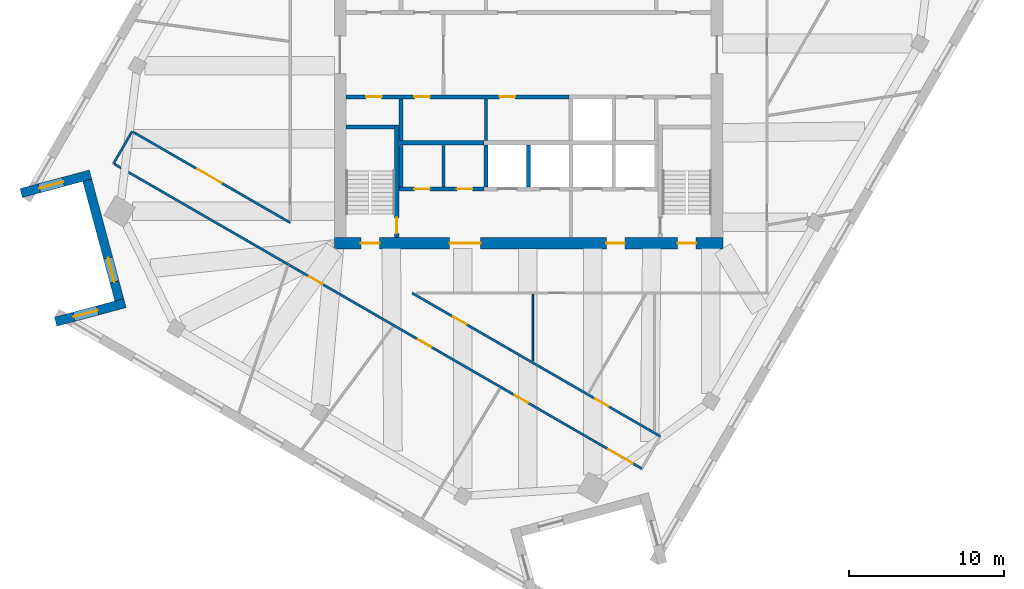
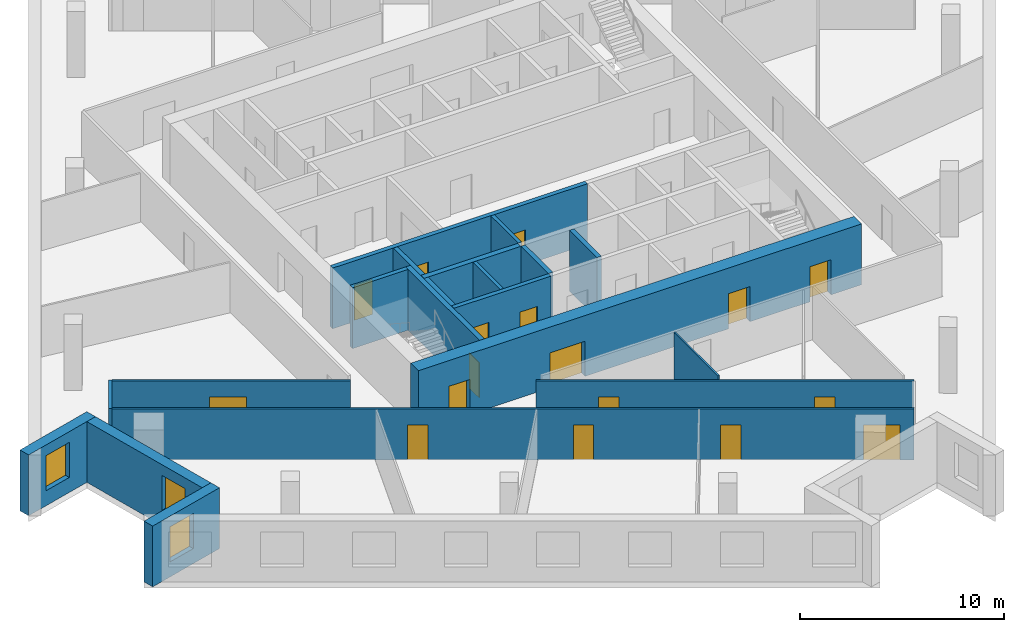
# One storey, part 6 of 13: 20 walls, 17 doors, 3 windows, 20 openings.
"""IFC4 building model written with IfcOpenShell, lengths in metres."""

import ifcopenshell
import ifcopenshell.guid

model = None  # the IFC model being written
_history = None  # IfcOwnerHistory: only IFC2X3 demands one
_inside = {}  # id of a spatial element -> (the spatial element, [elements in it])
_under = {}  # id of a project, library or spatial element -> (it, [spatial elements below it])
_declared = {}  # id of a project -> (the project, [libraries it declares])
_typed = {}  # id of a type object -> (the type object, [elements of that type])
_made_of = {}  # id of a material, layer set ... -> (it, [elements and type objects made of it])


def new_model(schema):
    """Start an empty IFC model of exactly this schema.

    Asked for "IFC4X3", IfcOpenShell would pick the latest addendum, in which some entities
    have other attributes; the version numbers below select the first issue.
    IFC2X3 requires an IfcOwnerHistory on every rooted entity: one is made here for all.
    """
    global model, _history
    if schema == "IFC4X3":
        model = ifcopenshell.file(schema_version=(4, 3, 0, 0))
    else:
        model = ifcopenshell.file(schema=schema)
    _inside.clear()
    _under.clear()
    _declared.clear()
    _typed.clear()
    _made_of.clear()
    _history = None
    if model.schema == "IFC2X3":
        org = make("IfcOrganization", Name="unknown")
        user = make(
            "IfcPersonAndOrganization",
            ThePerson=make("IfcPerson", FamilyName="unknown"),
            TheOrganization=org,
        )
        app = make(
            "IfcApplication",
            ApplicationDeveloper=org,
            Version="unknown",
            ApplicationFullName="unknown",
            ApplicationIdentifier="unknown",
        )
        _history = make(
            "IfcOwnerHistory",
            OwningUser=user,
            OwningApplication=app,
            ChangeAction="ADDED",
            CreationDate=0,
        )
    return model


def make(cls, **values):
    """One entity of the class cls with the attributes given. An attribute that is None is left unset."""
    return model.create_entity(
        cls, **{name: value for name, value in values.items() if value is not None}
    )


def rooted(cls, **values):
    """An entity with a GlobalId (a new one), such as an element, a storey or a relation."""
    return make(cls, GlobalId=ifcopenshell.guid.new(), OwnerHistory=_history, **values)


def si_unit(unit_type, name, prefix=None):
    """IfcSIUnit, for example si_unit("LENGTHUNIT", "METRE", prefix="MILLI")."""
    return make("IfcSIUnit", UnitType=unit_type, Prefix=prefix, Name=name)


def assignment(units):
    """IfcUnitAssignment: the units of a project."""
    return None if units is None else make("IfcUnitAssignment", Units=units)


def point(xyz):
    """IfcCartesianPoint."""
    return None if xyz is None else make("IfcCartesianPoint", Coordinates=xyz)


def direction(xyz):
    """IfcDirection."""
    return None if xyz is None else make("IfcDirection", DirectionRatios=xyz)


def frame(location, z_axis=None, x_axis=None):
    """IfcAxis2Placement3D, a coordinate frame: its origin and axes. An axis left out is left unset."""
    return make(
        "IfcAxis2Placement3D",
        Location=point(location),
        Axis=direction(z_axis),
        RefDirection=direction(x_axis),
    )


def frame_2d(location, x_axis=None):
    """IfcAxis2Placement2D, a coordinate frame in the plane: its origin and x axis."""
    return make(
        "IfcAxis2Placement2D", Location=point(location), RefDirection=direction(x_axis)
    )


def origin():
    """The frame at (0, 0, 0) with its axes left unset."""
    return frame((0.0, 0.0, 0.0))


def place(relative_to, where):
    """IfcLocalPlacement: puts the frame where relative to a parent placement (None: the world)."""
    return make(
        "IfcLocalPlacement", PlacementRelTo=relative_to, RelativePlacement=where
    )


def context(
    kind, dimensions, precision=None, world=None, true_north=None, identifier=None
):
    """IfcGeometricRepresentationContext, for example the 3D "Model" context."""
    return make(
        "IfcGeometricRepresentationContext",
        ContextIdentifier=identifier,
        ContextType=kind,
        CoordinateSpaceDimension=dimensions,
        Precision=precision,
        WorldCoordinateSystem=world,
        TrueNorth=true_north,
    )


def subcontext(parent, identifier, kind, view, scale=None):
    """IfcGeometricRepresentationSubContext, for example "Body" below "Model"."""
    return make(
        "IfcGeometricRepresentationSubContext",
        ContextIdentifier=identifier,
        ContextType=kind,
        ParentContext=parent,
        TargetScale=scale,
        TargetView=view,
    )


def project(units=None, contexts=None):
    """IfcProject with its units and contexts."""
    return rooted(
        "IfcProject",
        Name="project",
        RepresentationContexts=contexts,
        UnitsInContext=assignment(units),
    )


def spatial(cls, under=None, at=None, **own):
    """A site, building, storey or space (cls), placed at a placement, below another one or the project."""
    s = rooted(cls, ObjectPlacement=at, **own)
    if under is not None:
        _under.setdefault(under.id(), (under, []))[1].append(s)
    return s


def profile(cls, at=None, kind="AREA", **sizes):
    """A parametric profile (cls). Its sizes go by their IFC names, for example OverallWidth=200.0."""
    return make(cls, ProfileType=kind, Position=at, **sizes)


def rectangle(**sizes):
    """IfcRectangleProfileDef."""
    return profile("IfcRectangleProfileDef", **sizes)


def extrude(swept, where, along, depth):
    """IfcExtrudedAreaSolid: the profile swept, set in the frame where, extruded along a direction by depth."""
    return make(
        "IfcExtrudedAreaSolid",
        SweptArea=swept,
        Position=where,
        ExtrudedDirection=direction(along),
        Depth=depth,
    )


def shape(context_of_items, identifier, shape_type, items):
    """IfcShapeRepresentation: the items that make up one representation, for example the "Body"."""
    return make(
        "IfcShapeRepresentation",
        ContextOfItems=context_of_items,
        RepresentationIdentifier=identifier,
        RepresentationType=shape_type,
        Items=items,
    )


def material(Name=None, Category=None):
    """IfcMaterial."""
    return make("IfcMaterial", Name=Name, Category=Category)


def layer(
    of_material, thickness, ventilated=None, Name=None, Category=None, Priority=None
):
    """IfcMaterialLayer: one layer of a wall or slab, of a material (None: an air gap)."""
    return make(
        "IfcMaterialLayer",
        Material=of_material,
        LayerThickness=thickness,
        IsVentilated=ventilated,
        Name=Name,
        Category=Category,
        Priority=Priority,
    )


def layer_set(layers, Name=None):
    """IfcMaterialLayerSet."""
    return make("IfcMaterialLayerSet", MaterialLayers=layers, LayerSetName=Name)


def made_of(thing, what):
    """Note that an element or type object is made of a material, layer set ...; save() writes the relation."""
    if what is not None:
        _made_of.setdefault(what.id(), (what, []))[1].append(thing)
    return thing


def type_object(cls, material=None, **own):
    """A type object (cls), such as IfcWallType, which elements share."""
    return made_of(rooted(cls, **own), material)


def element(
    cls,
    number,
    at=None,
    inside=None,
    cuts=None,
    type_object=None,
    material=None,
    context=None,
    identifier="Body",
    shape_type=None,
    held_by="IfcProductDefinitionShape",
    body=None,
    shapes=None,
    **own,
):
    """One element of the class cls, such as IfcWall. Its Tag is "e" and its number.

    at: its placement. inside: the storey or other place that contains it. cuts: it is an
    opening in that element (IfcRelVoidsElement). A single representation is given by context,
    identifier, shape_type and body (its items); several are given by shapes. held_by: the class
    of the entity that holds the representations. save() writes the other relations.
    """
    e = rooted(cls, Tag="e%d" % number, ObjectPlacement=at, **own)
    if body is not None:
        shapes = [shape(context, identifier, shape_type, body)]
    if shapes is not None:
        e.Representation = make(held_by, Representations=shapes)
    if inside is not None:
        _inside.setdefault(inside.id(), (inside, []))[1].append(e)
    if cuts is not None:
        rooted(
            "IfcRelVoidsElement", RelatingBuildingElement=cuts, RelatedOpeningElement=e
        )
    if type_object is not None:
        _typed.setdefault(type_object.id(), (type_object, []))[1].append(e)
    return made_of(e, material)


def fill(opening, filler):
    """IfcRelFillsElement: the door or window that sits in an opening."""
    return rooted(
        "IfcRelFillsElement",
        RelatingOpeningElement=opening,
        RelatedBuildingElement=filler,
    )


def aggregate(whole, parts):
    """IfcRelAggregates: a whole, such as a stair, and the parts it consists of."""
    return rooted("IfcRelAggregates", RelatingObject=whole, RelatedObjects=parts)


def save(model, path):
    """Write the relations noted so far, then the file.

    IfcRelAggregates (storeys below a building ...), IfcRelContainedInSpatialStructure (elements
    in a storey), IfcRelDefinesByType, IfcRelAssociatesMaterial and IfcRelDeclares: one each for
    every whole, place, type object, material and project.
    """
    for whole, parts in _under.values():
        aggregate(whole, parts)
    for where, things in _inside.values():
        rooted(
            "IfcRelContainedInSpatialStructure",
            RelatedElements=things,
            RelatingStructure=where,
        )
    for kind, things in _typed.values():
        rooted("IfcRelDefinesByType", RelatedObjects=things, RelatingType=kind)
    for what, things in _made_of.values():
        rooted("IfcRelAssociatesMaterial", RelatedObjects=things, RelatingMaterial=what)
    for by, libraries in _declared.values():
        rooted("IfcRelDeclares", RelatingContext=by, RelatedDefinitions=libraries)
    model.write(path)


model = new_model("IFC4")

# Units and contexts
model_context = context("Model", 3, precision=1e-05, world=origin(), true_north=direction((0.0, 1.0)))
body_context = subcontext(model_context, "Body", "Model", "MODEL_VIEW")
ifc_project = project(units=[si_unit("LENGTHUNIT", "METRE"), si_unit("AREAUNIT", "SQUARE_METRE"), si_unit("VOLUMEUNIT", "CUBIC_METRE"), si_unit("PLANEANGLEUNIT", "RADIAN"), si_unit("MASSUNIT", "GRAM", prefix="KILO")], contexts=[model_context])

# Site, building, storey
site_placement = place(None, origin())
site = spatial("IfcSite", under=ifc_project, at=site_placement, CompositionType="ELEMENT")
building_placement = place(site_placement, origin())
building = spatial("IfcBuilding", under=site, at=building_placement, Name="Dilmun Exchange Tower", CompositionType="ELEMENT")
storey_placement = place(building_placement, frame((0.0, 0.0, 270.89990234375)))
storey = spatial("IfcBuildingStorey", under=building, at=storey_placement, Name="L64", CompositionType="ELEMENT", Elevation=270.89990234375)

# Walls
ifc_material_1 = material(Name="Concrete C40/50", Category="concrete")
ifc_layer_1 = layer(ifc_material_1, 0.199951171875)
ifc_layer_set_1 = layer_set([ifc_layer_1], Name="Concrete C40/50")
wall_type_1 = type_object("IfcWallType", Name="Core partition wall 200", PredefinedType="PARTITIONING", material=ifc_layer_set_1)
for number, where, z_axis, x_axis, name in (
    (1, (-5.5, -8.544921875, 0.0), (0.0, 0.0, 1.0), (0.0, 1.0, 0.0), "L64 core partition wall 04"),
    (2, (-2.75, -5.544921875, 0.0), (0.0, 0.0, 1.0), (0.0, 1.0, 0.0), "L64 core partition wall 07"),
):
    element("IfcWall", number, at=place(storey_placement, frame(where, z_axis=z_axis, x_axis=x_axis)), inside=storey, type_object=wall_type_1, Name=name, PredefinedType="PARTITIONING", context=body_context, shape_type="SweptSolid", body=[
        extrude(rectangle(XDim=2.68994140625, YDim=0.199951171875, at=frame_2d((1.344970703125, 0.0))), origin(), (0.0, 0.0, 1.0), 3.64013671875),
    ])

# Wall, openings, doors
ifc_layer_2 = layer(ifc_material_1, 0.25)
ifc_layer_set_2 = layer_set([ifc_layer_2], Name="Concrete C40/50")
wall_type_2 = type_object("IfcWallType", Name="Core partition wall 250", PredefinedType="PARTITIONING", material=ifc_layer_set_2)
wall_1_placement = place(storey_placement, frame((-8.3701171875, -8.675048828125, 0.0), z_axis=(0.0, 0.0, 1.0), x_axis=(1.0, 0.0, 0.0)))
wall_1 = element("IfcWall", 3, at=wall_1_placement, inside=storey, type_object=wall_type_2, Name="L64 core partition wall 02", PredefinedType="PARTITIONING", context=body_context, shape_type="SweptSolid", body=[
    extrude(rectangle(XDim=5.490234375, YDim=0.25, at=frame_2d((2.7451171875, 0.0))), origin(), (0.0, 0.0, 1.0), 3.64013671875),
])
opening_1_placement = place(wall_1_placement, frame((0.9951171875, 0.0, 0.0)))
opening_1 = element("IfcOpeningElement", 4, at=opening_1_placement, cuts=wall_1, Name="Opening CD4", PredefinedType="OPENING", context=body_context, shape_type="SweptSolid", body=[
    extrude(rectangle(XDim=1.0, YDim=2.10009765625, at=frame_2d((0.5, 1.050048828125))), frame((0.0, 0.135009765625, 0.0), z_axis=(0.0, -1.0, 0.0), x_axis=(1.0, 0.0, 0.0)), (0.0, 0.0, 1.0), 0.27001953125),
])
opening_2_placement = place(wall_1_placement, frame((3.7451171875, 0.0, 0.0)))
opening_2 = element("IfcOpeningElement", 5, at=opening_2_placement, cuts=wall_1, Name="Opening CD4", PredefinedType="OPENING", context=body_context, shape_type="SweptSolid", body=[
    extrude(rectangle(XDim=1.0, YDim=2.10009765625, at=frame_2d((0.5, 1.050048828125))), frame((0.0, 0.135009765625, 0.0), z_axis=(0.0, -1.0, 0.0), x_axis=(1.0, 0.0, 0.0)), (0.0, 0.0, 1.0), 0.27001953125),
])
ifc_material_2 = material(Name="Fire-rated steel door set", Category="steel")
door_type_1 = type_object("IfcDoorType", Name="Core room door 1000x2100", OperationType="SINGLE_SWING_LEFT", PredefinedType="DOOR", material=ifc_material_2)
door_1_placement = place(opening_1_placement, origin())
door_1 = element("IfcDoor", 6, at=door_1_placement, inside=storey, type_object=door_type_1, Name="L64 door Male WC", OperationType="SINGLE_SWING_LEFT", OverallHeight=2.10009765625, OverallWidth=1.0, PredefinedType="DOOR", context=body_context, shape_type="SweptSolid", body=[
    extrude(rectangle(XDim=1.0, YDim=2.10009765625, at=frame_2d((0.5, 1.050048828125))), frame((0.0, 0.02490234375, 0.0), z_axis=(0.0, -1.0, 0.0), x_axis=(1.0, 0.0, 0.0)), (0.0, 0.0, 1.0), 0.050048828125),
])
fill(opening_1, door_1)
door_2_placement = place(opening_2_placement, origin())
door_2 = element("IfcDoor", 7, at=door_2_placement, inside=storey, type_object=door_type_1, Name="L64 door Female WC", OperationType="SINGLE_SWING_LEFT", OverallHeight=2.10009765625, OverallWidth=1.0, PredefinedType="DOOR", context=body_context, shape_type="SweptSolid", body=[
    extrude(rectangle(XDim=1.0, YDim=2.10009765625, at=frame_2d((0.5, 1.050048828125))), frame((0.0, 0.02490234375, 0.0), z_axis=(0.0, -1.0, 0.0), x_axis=(1.0, 0.0, 0.0)), (0.0, 0.0, 1.0), 0.050048828125),
])
fill(opening_2, door_2)

# Walls
for number, where, z_axis, x_axis, name in (
    (8, (-8.25, -8.544921875, 0.0), (0.0, 0.0, 1.0), (0.0, 1.0, 0.0), "L64 core partition wall 03"),
    (9, (-8.25, -5.544921875, 0.0), (0.0, 0.0, 1.0), (0.0, 1.0, 0.0), "L64 core partition wall 06"),
):
    element("IfcWall", number, at=place(storey_placement, frame(where, z_axis=z_axis, x_axis=x_axis)), inside=storey, type_object=wall_type_2, Name=name, PredefinedType="PARTITIONING", context=body_context, shape_type="SweptSolid", body=[
        extrude(rectangle(XDim=2.68994140625, YDim=0.25, at=frame_2d((1.344970703125, 0.0))), origin(), (0.0, 0.0, 1.0), 3.64013671875),
    ])

# Wall, openings, doors
wall_2_placement = place(storey_placement, frame((-11.794921875, -2.72509765625, 0.0), z_axis=(0.0, 0.0, 1.0), x_axis=(1.0, 0.0, 0.0)))
wall_2 = element("IfcWall", 10, at=wall_2_placement, inside=storey, type_object=wall_type_2, Name="L64 core partition wall 09", PredefinedType="PARTITIONING", context=body_context, shape_type="SweptSolid", body=[
    extrude(rectangle(XDim=14.4150390625, YDim=0.25, at=frame_2d((7.20751953125, 0.0))), origin(), (0.0, 0.0, 1.0), 3.64013671875),
])
opening_3_placement = place(wall_2_placement, frame((1.294921875, 0.0, 0.0)))
opening_3 = element("IfcOpeningElement", 11, at=opening_3_placement, cuts=wall_2, Name="Opening CD4", PredefinedType="OPENING", context=body_context, shape_type="SweptSolid", body=[
    extrude(rectangle(XDim=1.0, YDim=2.10009765625, at=frame_2d((0.5, 1.050048828125))), frame((0.0, 0.135009765625, 0.0), z_axis=(0.0, -1.0, 0.0), x_axis=(1.0, 0.0, 0.0)), (0.0, 0.0, 1.0), 0.27001953125),
])
opening_4_placement = place(wall_2_placement, frame((4.419921875, 0.0, 0.0)))
opening_4 = element("IfcOpeningElement", 12, at=opening_4_placement, cuts=wall_2, Name="Opening CD4", PredefinedType="OPENING", context=body_context, shape_type="SweptSolid", body=[
    extrude(rectangle(XDim=1.0, YDim=2.10009765625, at=frame_2d((0.5, 1.050048828125))), frame((0.0, 0.135009765625, 0.0), z_axis=(0.0, -1.0, 0.0), x_axis=(1.0, 0.0, 0.0)), (0.0, 0.0, 1.0), 0.27001953125),
])
opening_5_placement = place(wall_2_placement, frame((9.919921875, 0.0, 0.0)))
opening_5 = element("IfcOpeningElement", 13, at=opening_5_placement, cuts=wall_2, Name="Opening CD4", PredefinedType="OPENING", context=body_context, shape_type="SweptSolid", body=[
    extrude(rectangle(XDim=1.0, YDim=2.10009765625, at=frame_2d((0.5, 1.050048828125))), frame((0.0, 0.135009765625, 0.0), z_axis=(0.0, -1.0, 0.0), x_axis=(1.0, 0.0, 0.0)), (0.0, 0.0, 1.0), 0.27001953125),
])
door_3_placement = place(opening_3_placement, origin())
door_3 = element("IfcDoor", 14, at=door_3_placement, inside=storey, type_object=door_type_1, Name="L64 door Accessible WC", OperationType="SINGLE_SWING_LEFT", OverallHeight=2.10009765625, OverallWidth=1.0, PredefinedType="DOOR", context=body_context, shape_type="SweptSolid", body=[
    extrude(rectangle(XDim=1.0, YDim=2.10009765625, at=frame_2d((0.5, 1.050048828125))), frame((0.0, 0.02490234375, 0.0), z_axis=(0.0, -1.0, 0.0), x_axis=(1.0, 0.0, 0.0)), (0.0, 0.0, 1.0), 0.050048828125),
])
fill(opening_3, door_3)
door_4_placement = place(opening_4_placement, origin())
door_4 = element("IfcDoor", 15, at=door_4_placement, inside=storey, type_object=door_type_1, Name="L64 door Archive store", OperationType="SINGLE_SWING_LEFT", OverallHeight=2.10009765625, OverallWidth=1.0, PredefinedType="DOOR", context=body_context, shape_type="SweptSolid", body=[
    extrude(rectangle(XDim=1.0, YDim=2.10009765625, at=frame_2d((0.5, 1.050048828125))), frame((0.0, 0.02490234375, 0.0), z_axis=(0.0, -1.0, 0.0), x_axis=(1.0, 0.0, 0.0)), (0.0, 0.0, 1.0), 0.050048828125),
])
fill(opening_4, door_4)
door_5_placement = place(opening_5_placement, origin())
door_5 = element("IfcDoor", 16, at=door_5_placement, inside=storey, type_object=door_type_1, Name="L64 door Switch room", OperationType="SINGLE_SWING_LEFT", OverallHeight=2.10009765625, OverallWidth=1.0, PredefinedType="DOOR", context=body_context, shape_type="SweptSolid", body=[
    extrude(rectangle(XDim=1.0, YDim=2.10009765625, at=frame_2d((0.5, 1.050048828125))), frame((0.0, 0.02490234375, 0.0), z_axis=(0.0, -1.0, 0.0), x_axis=(1.0, 0.0, 0.0)), (0.0, 0.0, 1.0), 0.050048828125),
])
fill(opening_5, door_5)

# Wall
ifc_layer_3 = layer(ifc_material_1, 0.300048828125)
ifc_layer_set_3 = layer_set([ifc_layer_3], Name="Concrete C40/50")
wall_type_3 = type_object("IfcWallType", Name="Core partition wall 300", PredefinedType="PARTITIONING", material=ifc_layer_set_3)
wall_3_placement = place(storey_placement, frame((-8.35009765625, -5.699951171875, 0.0), z_axis=(0.0, 0.0, 1.0), x_axis=(1.0, 0.0, 0.0)))
element("IfcWall", 17, at=wall_3_placement, inside=storey, type_object=wall_type_3, Name="L64 core partition wall 05", PredefinedType="PARTITIONING", context=body_context, shape_type="SweptSolid", body=[
    extrude(rectangle(XDim=5.47021484375, YDim=0.300048828125, at=frame_2d((2.735107421875, 0.0))), origin(), (0.0, 0.0, 1.0), 3.64013671875),
])

# Wall, openings, doors
ifc_material_3 = material(Name="Concrete C50/60", Category="concrete")
ifc_layer_4 = layer(ifc_material_3, 0.75)
ifc_layer_set_4 = layer_set([ifc_layer_4], Name="Concrete C50/60")
wall_type_4 = type_object("IfcWallType", Name="Core shear wall 750 Concrete C50/60", PredefinedType="SHEAR", material=ifc_layer_set_4)
wall_4_placement = place(storey_placement, frame((-12.550048828125, -12.175048828125, 0.0), z_axis=(0.0, 0.0, 1.0), x_axis=(1.0, 0.0, 0.0)))
wall_4 = element("IfcWall", 18, at=wall_4_placement, inside=storey, type_object=wall_type_4, Name="L64 core shear wall S", PredefinedType="SHEAR", context=body_context, shape_type="SweptSolid", body=[
    extrude(rectangle(XDim=25.10009765625, YDim=0.75, at=frame_2d((12.550048828125, 0.0))), origin(), (0.0, 0.0, 1.0), 3.64013671875),
])
opening_6_placement = place(wall_4_placement, frame((7.449951171875, 0.0, 0.0)))
opening_6 = element("IfcOpeningElement", 19, at=opening_6_placement, cuts=wall_4, Name="Opening CD2", PredefinedType="OPENING", context=body_context, shape_type="SweptSolid", body=[
    extrude(rectangle(XDim=2.0, YDim=2.10009765625, at=frame_2d((1.0, 1.050048828125))), frame((0.0, 0.385009765625, 0.0), z_axis=(0.0, -1.0, 0.0), x_axis=(1.0, 0.0, 0.0)), (0.0, 0.0, 1.0), 0.77001953125),
])
opening_7_placement = place(wall_4_placement, frame((17.574951171875, 0.0, 0.0)))
opening_7 = element("IfcOpeningElement", 20, at=opening_7_placement, cuts=wall_4, Name="Opening CD3", PredefinedType="OPENING", context=body_context, shape_type="SweptSolid", body=[
    extrude(rectangle(XDim=1.199951171875, YDim=2.10009765625, at=frame_2d((0.60009765625, 1.050048828125))), frame((0.0, 0.385009765625, 0.0), z_axis=(0.0, -1.0, 0.0), x_axis=(1.0, 0.0, 0.0)), (0.0, 0.0, 1.0), 0.77001953125),
])
opening_8_placement = place(wall_4_placement, frame((1.72509765625, 0.0, 0.0)))
opening_8 = element("IfcOpeningElement", 21, at=opening_8_placement, cuts=wall_4, Name="Opening CD3", PredefinedType="OPENING", context=body_context, shape_type="SweptSolid", body=[
    extrude(rectangle(XDim=1.199951171875, YDim=2.10009765625, at=frame_2d((0.60009765625, 1.050048828125))), frame((0.0, 0.385009765625, 0.0), z_axis=(0.0, -1.0, 0.0), x_axis=(1.0, 0.0, 0.0)), (0.0, 0.0, 1.0), 0.77001953125),
])
opening_9_placement = place(wall_4_placement, frame((22.175048828125, 0.0, 0.0)))
opening_9 = element("IfcOpeningElement", 22, at=opening_9_placement, cuts=wall_4, Name="Opening CD3", PredefinedType="OPENING", context=body_context, shape_type="SweptSolid", body=[
    extrude(rectangle(XDim=1.199951171875, YDim=2.10009765625, at=frame_2d((0.60009765625, 1.050048828125))), frame((0.0, 0.385009765625, 0.0), z_axis=(0.0, -1.0, 0.0), x_axis=(1.0, 0.0, 0.0)), (0.0, 0.0, 1.0), 0.77001953125),
])
door_type_2 = type_object("IfcDoorType", Name="Core service door 2000x2100", OperationType="DOUBLE_DOOR_DOUBLE_SWING", PredefinedType="DOOR", material=ifc_material_2)
door_6_placement = place(opening_6_placement, origin())
door_6 = element("IfcDoor", 23, at=door_6_placement, inside=storey, type_object=door_type_2, Name="L64 door South service lobby", OperationType="SINGLE_SWING_LEFT", OverallHeight=2.10009765625, OverallWidth=2.0, PredefinedType="DOOR", context=body_context, shape_type="SweptSolid", body=[
    extrude(rectangle(XDim=2.0, YDim=2.10009765625, at=frame_2d((1.0, 1.050048828125))), frame((0.0, 0.02490234375, 0.0), z_axis=(0.0, -1.0, 0.0), x_axis=(1.0, 0.0, 0.0)), (0.0, 0.0, 1.0), 0.050048828125),
])
fill(opening_6, door_6)
door_type_3 = type_object("IfcDoorType", Name="Stair exit door 1200x2100", OperationType="SINGLE_SWING_LEFT", PredefinedType="DOOR", material=ifc_material_2)
door_7_placement = place(opening_7_placement, origin())
door_7 = element("IfcDoor", 24, at=door_7_placement, inside=storey, type_object=door_type_3, Name="L64 door Fire-fighting lobby", OperationType="SINGLE_SWING_LEFT", OverallHeight=2.10009765625, OverallWidth=1.199951171875, PredefinedType="DOOR", context=body_context, shape_type="SweptSolid", body=[
    extrude(rectangle(XDim=1.199951171875, YDim=2.10009765625, at=frame_2d((0.60009765625, 1.050048828125))), frame((0.0, 0.02490234375, 0.0), z_axis=(0.0, -1.0, 0.0), x_axis=(1.0, 0.0, 0.0)), (0.0, 0.0, 1.0), 0.050048828125),
])
fill(opening_7, door_7)
door_8_placement = place(opening_8_placement, origin())
door_8 = element("IfcDoor", 25, at=door_8_placement, inside=storey, type_object=door_type_3, Name="L64 door Stair ST2", OperationType="SINGLE_SWING_LEFT", OverallHeight=2.10009765625, OverallWidth=1.199951171875, PredefinedType="DOOR", context=body_context, shape_type="SweptSolid", body=[
    extrude(rectangle(XDim=1.199951171875, YDim=2.10009765625, at=frame_2d((0.60009765625, 1.050048828125))), frame((0.0, 0.02490234375, 0.0), z_axis=(0.0, -1.0, 0.0), x_axis=(1.0, 0.0, 0.0)), (0.0, 0.0, 1.0), 0.050048828125),
])
fill(opening_8, door_8)
door_9_placement = place(opening_9_placement, origin())
door_9 = element("IfcDoor", 26, at=door_9_placement, inside=storey, type_object=door_type_3, Name="L64 door Stair ST3", OperationType="SINGLE_SWING_LEFT", OverallHeight=2.10009765625, OverallWidth=1.199951171875, PredefinedType="DOOR", context=body_context, shape_type="SweptSolid", body=[
    extrude(rectangle(XDim=1.199951171875, YDim=2.10009765625, at=frame_2d((0.60009765625, 1.050048828125))), frame((0.0, 0.02490234375, 0.0), z_axis=(0.0, -1.0, 0.0), x_axis=(1.0, 0.0, 0.0)), (0.0, 0.0, 1.0), 0.050048828125),
])
fill(opening_9, door_9)

# Wall
ifc_material_4 = material(Name="Corridor wall 150")
ifc_layer_5 = layer(ifc_material_4, 0.14990234375)
ifc_layer_set_5 = layer_set([ifc_layer_5], Name="Corridor wall 150")
wall_type_5 = type_object("IfcWallType", Name="Corridor wall 150", PredefinedType="PARTITIONING", material=ifc_layer_set_5)
wall_5_placement = place(storey_placement, frame((-26.80908203125, -7.034912109375, 0.0), z_axis=(0.0, 0.0, 1.0), x_axis=(0.499989508258, 0.86603146111, 0.0)))
element("IfcWall", 27, at=wall_5_placement, inside=storey, type_object=wall_type_5, Name="Corridor wall", PredefinedType="PARTITIONING", context=body_context, shape_type="SweptSolid", body=[
    extrude(rectangle(XDim=2.400390625, YDim=0.14990234375, at=frame_2d((1.2001953125, 0.0))), origin(), (0.0, 0.0, 1.0), 3.0400390625),
])

# Wall, openings, doors
wall_6_placement = place(storey_placement, frame((-26.743896484375, -7.072509765625, 0.0), z_axis=(0.0, 0.0, 1.0), x_axis=(0.866020890374, -0.500007817374, 0.0)))
wall_6 = element("IfcWall", 28, at=wall_6_placement, inside=storey, type_object=wall_type_5, Name="Corridor wall", PredefinedType="PARTITIONING", context=body_context, shape_type="SweptSolid", body=[
    extrude(rectangle(XDim=39.324462890625, YDim=0.14990234375, at=frame_2d((19.662109375, 0.0))), origin(), (0.0, 0.0, 1.0), 3.0400390625),
])
opening_10_placement = place(wall_6_placement, frame((14.504638671875, 0.0, 0.0)))
opening_10 = element("IfcOpeningElement", 29, at=opening_10_placement, cuts=wall_6, Name="Opening TF62-D04", PredefinedType="OPENING", context=body_context, shape_type="SweptSolid", body=[
    extrude(rectangle(XDim=1.0, YDim=2.10009765625, at=frame_2d((0.5, 1.050048828125))), frame((0.0, 0.0849609375, 0.0), z_axis=(0.0, -1.0, 0.0), x_axis=(1.0, 0.0, 0.0)), (0.0, 0.0, 1.0), 0.169921875),
])
opening_11_placement = place(wall_6_placement, frame((22.63232421875, 0.0, 0.0)))
opening_11 = element("IfcOpeningElement", 30, at=opening_11_placement, cuts=wall_6, Name="Opening TF62-D05", PredefinedType="OPENING", context=body_context, shape_type="SweptSolid", body=[
    extrude(rectangle(XDim=1.0, YDim=2.10009765625, at=frame_2d((0.5, 1.050048828125))), frame((0.0, 0.0849609375, 0.0), z_axis=(0.0, -1.0, 0.0), x_axis=(1.0, 0.0, 0.0)), (0.0, 0.0, 1.0), 0.169921875),
])
opening_12_placement = place(wall_6_placement, frame((36.8515625, 0.0, 0.0)))
opening_12 = element("IfcOpeningElement", 31, at=opening_12_placement, cuts=wall_6, Name="Opening TF62-D14", PredefinedType="OPENING", context=body_context, shape_type="SweptSolid", body=[
    extrude(rectangle(XDim=1.800048828125, YDim=2.10009765625, at=frame_2d((0.89990234375, 1.050048828125))), frame((0.0, 0.0849609375, 0.0), z_axis=(0.0, -1.0, 0.0), x_axis=(1.0, 0.0, 0.0)), (0.0, 0.0, 1.0), 0.169921875),
])
opening_13_placement = place(wall_6_placement, frame((29.8515625, 0.0, 0.0)))
opening_13 = element("IfcOpeningElement", 32, at=opening_13_placement, cuts=wall_6, Name="Opening TF62-D15", PredefinedType="OPENING", context=body_context, shape_type="SweptSolid", body=[
    extrude(rectangle(XDim=1.0, YDim=2.10009765625, at=frame_2d((0.5, 1.050048828125))), frame((0.0, 0.0849609375, 0.0), z_axis=(0.0, -1.0, 0.0), x_axis=(1.0, 0.0, 0.0)), (0.0, 0.0, 1.0), 0.169921875),
])
ifc_material_5 = material(Name="Fire door 1000 x 2100")
door_type_4 = type_object("IfcDoorType", Name="Fire door 1000 x 2100", OperationType="NOTDEFINED", PredefinedType="DOOR", material=ifc_material_5)
door_10_placement = place(opening_10_placement, frame((1.0, 0.0, 0.0), z_axis=(0.0, 0.0, 1.0), x_axis=(-1.0, 0.0, 0.0)))
door_10 = element("IfcDoor", 33, at=door_10_placement, inside=storey, type_object=door_type_4, Name="Door TF62-D04", OperationType="SINGLE_SWING_LEFT", OverallHeight=2.10009765625, OverallWidth=1.0, PredefinedType="DOOR", context=body_context, shape_type="SweptSolid", body=[
    extrude(rectangle(XDim=1.0, YDim=2.10009765625, at=frame_2d((0.5, 1.050048828125))), frame((0.0, 0.02490234375, 0.0), z_axis=(0.0, -1.0, 0.0), x_axis=(1.0, 0.0, 0.0)), (0.0, 0.0, 1.0), 0.050048828125),
])
fill(opening_10, door_10)
door_11_placement = place(opening_11_placement, frame((1.0, 0.0, 0.0), z_axis=(0.0, 0.0, 1.0), x_axis=(-1.0, 0.0, 0.0)))
door_11 = element("IfcDoor", 34, at=door_11_placement, inside=storey, type_object=door_type_4, Name="Door TF62-D05", OperationType="SINGLE_SWING_RIGHT", OverallHeight=2.10009765625, OverallWidth=1.0, PredefinedType="DOOR", context=body_context, shape_type="SweptSolid", body=[
    extrude(rectangle(XDim=1.0, YDim=2.10009765625, at=frame_2d((0.5, 1.050048828125))), frame((0.0, 0.02490234375, 0.0), z_axis=(0.0, -1.0, 0.0), x_axis=(1.0, 0.0, 0.0)), (0.0, 0.0, 1.0), 0.050048828125),
])
fill(opening_11, door_11)
door_12_placement = place(opening_13_placement, frame((1.0, 0.0, 0.0), z_axis=(0.0, 0.0, 1.0), x_axis=(-1.0, 0.0, 0.0)))
door_12 = element("IfcDoor", 35, at=door_12_placement, inside=storey, type_object=door_type_4, Name="Door TF62-D15", OperationType="SINGLE_SWING_RIGHT", OverallHeight=2.10009765625, OverallWidth=1.0, PredefinedType="DOOR", context=body_context, shape_type="SweptSolid", body=[
    extrude(rectangle(XDim=1.0, YDim=2.10009765625, at=frame_2d((0.5, 1.050048828125))), frame((0.0, 0.02490234375, 0.0), z_axis=(0.0, -1.0, 0.0), x_axis=(1.0, 0.0, 0.0)), (0.0, 0.0, 1.0), 0.050048828125),
])
fill(opening_13, door_12)
ifc_material_6 = material(Name="Fire door pair 1800 x 2100")
door_type_5 = type_object("IfcDoorType", Name="Fire door pair 1800 x 2100", OperationType="NOTDEFINED", PredefinedType="DOOR", material=ifc_material_6)
door_13_placement = place(opening_12_placement, frame((1.800048828125, 0.0, 0.0), z_axis=(0.0, 0.0, 1.0), x_axis=(-1.0, 0.0, 0.0)))
door_13 = element("IfcDoor", 36, at=door_13_placement, inside=storey, type_object=door_type_5, Name="Door TF62-D14", OperationType="DOUBLE_DOOR_SINGLE_SWING", OverallHeight=2.10009765625, OverallWidth=1.800048828125, PredefinedType="DOOR", context=body_context, shape_type="SweptSolid", body=[
    extrude(rectangle(XDim=1.800048828125, YDim=2.10009765625, at=frame_2d((0.89990234375, 1.050048828125))), frame((0.0, 0.02490234375, 0.0), z_axis=(0.0, -1.0, 0.0), x_axis=(1.0, 0.0, 0.0)), (0.0, 0.0, 1.0), 0.050048828125),
])
fill(opening_12, door_13)

# Wall, opening, door
wall_7_placement = place(storey_placement, frame((-25.5439453125, -4.993408203125, 0.0), z_axis=(0.0, 0.0, 1.0), x_axis=(0.865988432642, -0.50006403043, 0.0)))
wall_7 = element("IfcWall", 37, at=wall_7_placement, inside=storey, type_object=wall_type_5, Name="Corridor wall", PredefinedType="PARTITIONING", context=body_context, shape_type="SweptSolid", body=[
    extrude(rectangle(XDim=11.7138671875, YDim=0.14990234375, at=frame_2d((5.85693359375, 0.0))), origin(), (0.0, 0.0, 1.0), 3.0400390625),
])
opening_14_placement = place(wall_7_placement, frame((4.800048828125, 0.0, 0.0)))
opening_14 = element("IfcOpeningElement", 38, at=opening_14_placement, cuts=wall_7, Name="Opening TF62-D01", PredefinedType="OPENING", context=body_context, shape_type="SweptSolid", body=[
    extrude(rectangle(XDim=1.800048828125, YDim=2.10009765625, at=frame_2d((0.89990234375, 1.050048828125))), frame((0.0, 0.0849609375, 0.0), z_axis=(0.0, -1.0, 0.0), x_axis=(1.0, 0.0, 0.0)), (0.0, 0.0, 1.0), 0.169921875),
])
door_14_placement = place(opening_14_placement, origin())
door_14 = element("IfcDoor", 39, at=door_14_placement, inside=storey, type_object=door_type_5, Name="Door TF62-D01", OperationType="DOUBLE_DOOR_SINGLE_SWING", OverallHeight=2.10009765625, OverallWidth=1.800048828125, PredefinedType="DOOR", context=body_context, shape_type="SweptSolid", body=[
    extrude(rectangle(XDim=1.800048828125, YDim=2.10009765625, at=frame_2d((0.89990234375, 1.050048828125))), frame((0.0, 0.02490234375, 0.0), z_axis=(0.0, -1.0, 0.0), x_axis=(1.0, 0.0, 0.0)), (0.0, 0.0, 1.0), 0.050048828125),
])
fill(opening_14, door_14)

# Wall, openings, doors
wall_8_placement = place(storey_placement, frame((-7.52001953125, -15.39990234375, 0.0), z_axis=(0.0, 0.0, 1.0), x_axis=(0.86602460502, -0.500001383498, 0.0)))
wall_8 = element("IfcWall", 40, at=wall_8_placement, inside=storey, type_object=wall_type_5, Name="Corridor wall", PredefinedType="PARTITIONING", context=body_context, shape_type="SweptSolid", body=[
    extrude(rectangle(XDim=18.51220703125, YDim=0.14990234375, at=frame_2d((9.256103515625, 0.0))), origin(), (0.0, 0.0, 1.0), 3.0400390625),
])
opening_15_placement = place(wall_8_placement, frame((3.050048828125, 0.0, 0.0)))
opening_15 = element("IfcOpeningElement", 41, at=opening_15_placement, cuts=wall_8, Name="Opening TF62-D09", PredefinedType="OPENING", context=body_context, shape_type="SweptSolid", body=[
    extrude(rectangle(XDim=1.0, YDim=2.10009765625, at=frame_2d((0.5, 1.050048828125))), frame((0.0, 0.0849609375, 0.0), z_axis=(0.0, -1.0, 0.0), x_axis=(1.0, 0.0, 0.0)), (0.0, 0.0, 1.0), 0.169921875),
])
opening_16_placement = place(wall_8_placement, frame((13.650146484375, 0.0, 0.0)))
opening_16 = element("IfcOpeningElement", 42, at=opening_16_placement, cuts=wall_8, Name="Opening TF62-D12", PredefinedType="OPENING", context=body_context, shape_type="SweptSolid", body=[
    extrude(rectangle(XDim=1.0, YDim=2.10009765625, at=frame_2d((0.5, 1.050048828125))), frame((0.0, 0.0849609375, 0.0), z_axis=(0.0, -1.0, 0.0), x_axis=(1.0, 0.0, 0.0)), (0.0, 0.0, 1.0), 0.169921875),
])
door_15_placement = place(opening_15_placement, origin())
door_15 = element("IfcDoor", 43, at=door_15_placement, inside=storey, type_object=door_type_4, Name="Door TF62-D09", OperationType="SINGLE_SWING_LEFT", OverallHeight=2.10009765625, OverallWidth=1.0, PredefinedType="DOOR", context=body_context, shape_type="SweptSolid", body=[
    extrude(rectangle(XDim=1.0, YDim=2.10009765625, at=frame_2d((0.5, 1.050048828125))), frame((0.0, 0.02490234375, 0.0), z_axis=(0.0, -1.0, 0.0), x_axis=(1.0, 0.0, 0.0)), (0.0, 0.0, 1.0), 0.050048828125),
])
fill(opening_15, door_15)
door_16_placement = place(opening_16_placement, origin())
door_16 = element("IfcDoor", 44, at=door_16_placement, inside=storey, type_object=door_type_4, Name="Door TF62-D12", OperationType="SINGLE_SWING_RIGHT", OverallHeight=2.10009765625, OverallWidth=1.0, PredefinedType="DOOR", context=body_context, shape_type="SweptSolid", body=[
    extrude(rectangle(XDim=1.0, YDim=2.10009765625, at=frame_2d((0.5, 1.050048828125))), frame((0.0, 0.02490234375, 0.0), z_axis=(0.0, -1.0, 0.0), x_axis=(1.0, 0.0, 0.0)), (0.0, 0.0, 1.0), 0.050048828125),
])
fill(opening_16, door_16)

# Walls
ifc_layer_6 = layer(ifc_material_1, 0.25)
ifc_layer_set_6 = layer_set([ifc_layer_6], Name="Concrete C40/50")
wall_type_6 = type_object("IfcWallType", Name="Lift shaft wall 250", PredefinedType="SOLIDWALL", material=ifc_layer_set_6)
for number, where, z_axis, x_axis, name in (
    (45, (-2.75, -8.550048828125, 0.0), (0.0, 0.0, 1.0), (0.0, 1.0, 0.0), "L64 lift shaft divider S22"),
    (46, (0.0, -8.550048828125, 0.0), (0.0, 0.0, 1.0), (0.0, 1.0, 0.0), "L64 lift shaft divider S23"),
):
    element("IfcWall", number, at=place(storey_placement, frame(where, z_axis=z_axis, x_axis=x_axis)), inside=storey, type_object=wall_type_6, Name=name, PredefinedType="SOLIDWALL", context=body_context, shape_type="SweptSolid", body=[
        extrude(rectangle(XDim=2.699951171875, YDim=0.25, at=frame_2d((1.35009765625, 0.0))), origin(), (0.0, 0.0, 1.0), 3.64013671875),
    ])
ifc_material_7 = material(Name="Partition 100")
ifc_layer_7 = layer(ifc_material_7, 0.10009765625)
ifc_layer_set_7 = layer_set([ifc_layer_7], Name="Partition 100")
wall_type_7 = type_object("IfcWallType", Name="Partition 100", PredefinedType="PARTITIONING", material=ifc_layer_set_7)
wall_9_placement = place(storey_placement, frame((0.278076171875, -19.78662109375, 0.0), z_axis=(0.0, 0.0, 1.0), x_axis=(0.0, 1.0, 0.0)))
element("IfcWall", 47, at=wall_9_placement, inside=storey, type_object=wall_type_7, Name="Partition", PredefinedType="PARTITIONING", context=body_context, shape_type="SweptSolid", body=[
    extrude(rectangle(XDim=4.3115234375, YDim=0.10009765625, at=frame_2d((2.15576171875, 0.0))), origin(), (0.0, 0.0, 1.0), 3.239990234375),
])

# Wall, opening, window
ifc_material_8 = material(Name="Precast concrete C50/60", Category="concrete")
ifc_layer_8 = layer(ifc_material_8, 0.60009765625)
ifc_layer_set_8 = layer_set([ifc_layer_8], Name="Precast concrete C50/60")
wall_type_8 = type_object("IfcWallType", Name="Precast stone-clad wall 600", PredefinedType="STANDARD", material=ifc_layer_set_8)
wall_10_placement = place(storey_placement, frame((-32.77392578125, -8.94189453125, 0.0), z_axis=(0.0, 0.0, 1.0), x_axis=(0.965928304125, 0.258809797517, 0.0)))
wall_10 = element("IfcWall", 48, at=wall_10_placement, inside=storey, type_object=wall_type_8, Name="Facade wall L64-04", PredefinedType="STANDARD", context=body_context, shape_type="SweptSolid", body=[
    extrude(rectangle(XDim=4.635498046875, YDim=0.60009765625, at=frame_2d((2.31787109375, 0.0))), origin(), (0.0, 0.0, 1.0), 3.64013671875),
])
opening_17_placement = place(wall_10_placement, frame((1.2177734375, 0.0, 0.89990234375)))
opening_17 = element("IfcOpeningElement", 49, at=opening_17_placement, cuts=wall_10, Name="Opening W160-210", PredefinedType="OPENING", context=body_context, shape_type="SweptSolid", body=[
    extrude(rectangle(XDim=1.60009765625, YDim=2.10009765625, at=frame_2d((0.800048828125, 1.050048828125))), frame((0.0, 0.31005859375, 0.0), z_axis=(0.0, -1.0, 0.0), x_axis=(1.0, 0.0, 0.0)), (0.0, 0.0, 1.0), 0.6201171875),
])
ifc_material_9 = material(Name="Clear low-emissivity glass in aluminium frame", Category="aluminium")
window_type = type_object("IfcWindowType", Name="Punched window 1600 x 2100", PartitioningType="DOUBLE_PANEL_VERTICAL", PredefinedType="WINDOW", material=ifc_material_9)
window_1_placement = place(opening_17_placement, origin())
window_1 = element("IfcWindow", 50, at=window_1_placement, inside=storey, type_object=window_type, Name="Window 5.1", OverallHeight=2.10009765625, OverallWidth=1.60009765625, PartitioningType="SINGLE_PANEL", PredefinedType="WINDOW", context=body_context, shape_type="SweptSolid", body=[
    extrude(rectangle(XDim=1.60009765625, YDim=2.10009765625, at=frame_2d((0.800048828125, 1.050048828125))), frame((0.0, 0.030029296875, 0.0), z_axis=(0.0, -1.0, 0.0), x_axis=(1.0, 0.0, 0.0)), (0.0, 0.0, 1.0), 0.06005859375),
])
fill(opening_17, window_1)

wall_11_placement = place(storey_placement, frame((-28.508544921875, -8.109619140625, 0.0), z_axis=(0.0, 0.0, 1.0), x_axis=(0.258815405168, -0.965926801599, 0.0)))
wall_11 = element("IfcWall", 51, at=wall_11_placement, inside=storey, type_object=wall_type_8, Name="Facade wall L64-05", PredefinedType="STANDARD", context=body_context, shape_type="SweptSolid", body=[
    extrude(rectangle(XDim=8.000244140625, YDim=0.60009765625, at=frame_2d((4.0, 0.0))), origin(), (0.0, 0.0, 1.0), 3.64013671875),
])
opening_18_placement = place(wall_11_placement, frame((5.199951171875, 0.0, 0.89990234375)))
opening_18 = element("IfcOpeningElement", 52, at=opening_18_placement, cuts=wall_11, Name="Opening W160-210", PredefinedType="OPENING", context=body_context, shape_type="SweptSolid", body=[
    extrude(rectangle(XDim=1.60009765625, YDim=2.10009765625, at=frame_2d((0.800048828125, 1.050048828125))), frame((0.0, 0.31005859375, 0.0), z_axis=(0.0, -1.0, 0.0), x_axis=(1.0, 0.0, 0.0)), (0.0, 0.0, 1.0), 0.6201171875),
])
window_2_placement = place(opening_18_placement, origin())
window_2 = element("IfcWindow", 53, at=window_2_placement, inside=storey, type_object=window_type, Name="Window 6.2", OverallHeight=2.10009765625, OverallWidth=1.60009765625, PartitioningType="SINGLE_PANEL", PredefinedType="WINDOW", context=body_context, shape_type="SweptSolid", body=[
    extrude(rectangle(XDim=1.60009765625, YDim=2.10009765625, at=frame_2d((0.800048828125, 1.050048828125))), frame((0.0, 0.030029296875, 0.0), z_axis=(0.0, -1.0, 0.0), x_axis=(1.0, 0.0, 0.0)), (0.0, 0.0, 1.0), 0.06005859375),
])
fill(opening_18, window_2)

wall_12_placement = place(storey_placement, frame((-26.070556640625, -16.04931640625, 0.0), z_axis=(0.0, 0.0, 1.0), x_axis=(-0.965928304125, -0.258809797517, 0.0)))
wall_12 = element("IfcWall", 54, at=wall_12_placement, inside=storey, type_object=wall_type_8, Name="Facade wall L64-06", PredefinedType="STANDARD", context=body_context, shape_type="SweptSolid", body=[
    extrude(rectangle(XDim=4.635498046875, YDim=0.60009765625, at=frame_2d((2.31787109375, 0.0))), origin(), (0.0, 0.0, 1.0), 3.64013671875),
])
opening_19_placement = place(wall_12_placement, frame((1.81787109375, 0.0, 0.89990234375)))
opening_19 = element("IfcOpeningElement", 55, at=opening_19_placement, cuts=wall_12, Name="Opening W160-210", PredefinedType="OPENING", context=body_context, shape_type="SweptSolid", body=[
    extrude(rectangle(XDim=1.60009765625, YDim=2.10009765625, at=frame_2d((0.800048828125, 1.050048828125))), frame((0.0, 0.31005859375, 0.0), z_axis=(0.0, -1.0, 0.0), x_axis=(1.0, 0.0, 0.0)), (0.0, 0.0, 1.0), 0.6201171875),
])
window_3_placement = place(opening_19_placement, origin())
window_3 = element("IfcWindow", 56, at=window_3_placement, inside=storey, type_object=window_type, Name="Window 7.1", OverallHeight=2.10009765625, OverallWidth=1.60009765625, PartitioningType="SINGLE_PANEL", PredefinedType="WINDOW", context=body_context, shape_type="SweptSolid", body=[
    extrude(rectangle(XDim=1.60009765625, YDim=2.10009765625, at=frame_2d((0.800048828125, 1.050048828125))), frame((0.0, 0.030029296875, 0.0), z_axis=(0.0, -1.0, 0.0), x_axis=(1.0, 0.0, 0.0)), (0.0, 0.0, 1.0), 0.06005859375),
])
fill(opening_19, window_3)

# Wall
ifc_layer_9 = layer(ifc_material_1, 0.25)
ifc_layer_set_9 = layer_set([ifc_layer_9], Name="Concrete C40/50")
wall_type_9 = type_object("IfcWallType", Name="Stair end wall 250", PredefinedType="SOLIDWALL", material=ifc_layer_set_9)
wall_13_placement = place(storey_placement, frame((-8.64990234375, -4.675048828125, 0.0), z_axis=(0.0, 0.0, 1.0), x_axis=(-1.0, 0.0, 0.0)))
element("IfcWall", 57, at=wall_13_placement, inside=storey, type_object=wall_type_9, Name="L64 ST2 far wall", PredefinedType="SOLIDWALL", context=body_context, shape_type="SweptSolid", body=[
    extrude(rectangle(XDim=3.150146484375, YDim=0.25, at=frame_2d((1.5751953125, 0.0))), origin(), (0.0, 0.0, 1.0), 3.64013671875),
])

# Wall, opening, door
ifc_layer_10 = layer(ifc_material_1, 0.27490234375)
ifc_layer_set_10 = layer_set([ifc_layer_10], Name="Concrete C40/50")
wall_type_10 = type_object("IfcWallType", Name="Stair wall 275", PredefinedType="SOLIDWALL", material=ifc_layer_set_10)
wall_14_placement = place(storey_placement, frame((-8.512451171875, -4.550048828125, 0.0), z_axis=(0.0, 0.0, 1.0), x_axis=(0.0, -1.0, 0.0)))
wall_14 = element("IfcWall", 58, at=wall_14_placement, inside=storey, type_object=wall_type_10, Name="L64 ST2 wall to lift block", PredefinedType="SOLIDWALL", context=body_context, shape_type="SweptSolid", body=[
    extrude(rectangle(XDim=7.25, YDim=0.27490234375, at=frame_2d((3.625, 0.0))), origin(), (0.0, 0.0, 1.0), 3.64013671875),
])
opening_20_placement = place(wall_14_placement, frame((6.0, 0.0, 0.0)))
opening_20 = element("IfcOpeningElement", 59, at=opening_20_placement, cuts=wall_14, Name="Opening CD4", PredefinedType="OPENING", context=body_context, shape_type="SweptSolid", body=[
    extrude(rectangle(XDim=1.0, YDim=2.10009765625, at=frame_2d((0.5, 1.050048828125))), frame((0.0, 0.1474609375, 0.0), z_axis=(0.0, -1.0, 0.0), x_axis=(1.0, 0.0, 0.0)), (0.0, 0.0, 1.0), 0.294921875),
])
door_17_placement = place(opening_20_placement, origin())
door_17 = element("IfcDoor", 60, at=door_17_placement, inside=storey, type_object=door_type_1, Name="L64 door ST2 from lobby", OperationType="SINGLE_SWING_LEFT", OverallHeight=2.10009765625, OverallWidth=1.0, PredefinedType="DOOR", context=body_context, shape_type="SweptSolid", body=[
    extrude(rectangle(XDim=1.0, YDim=2.10009765625, at=frame_2d((0.5, 1.050048828125))), frame((0.0, 0.02490234375, 0.0), z_axis=(0.0, -1.0, 0.0), x_axis=(1.0, 0.0, 0.0)), (0.0, 0.0, 1.0), 0.050048828125),
])
fill(opening_20, door_17)

save(model, "model.ifc")
